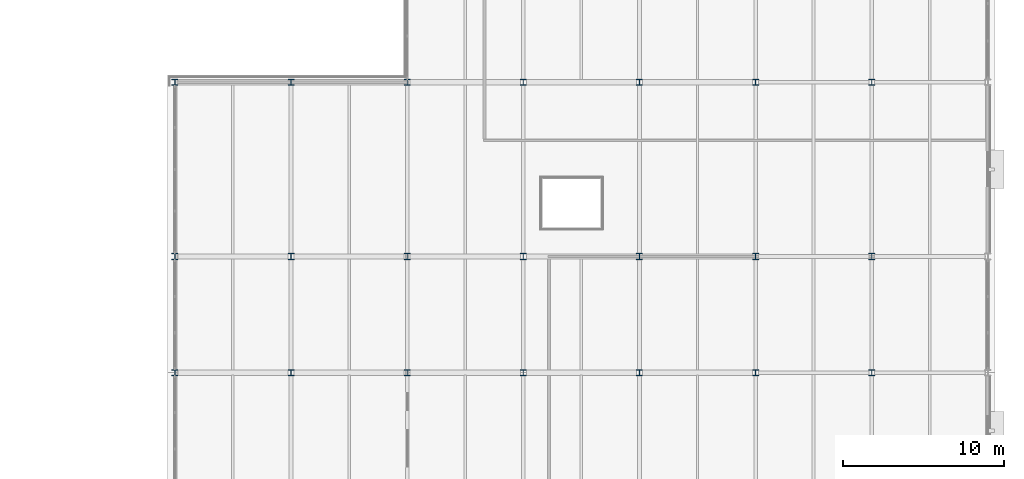
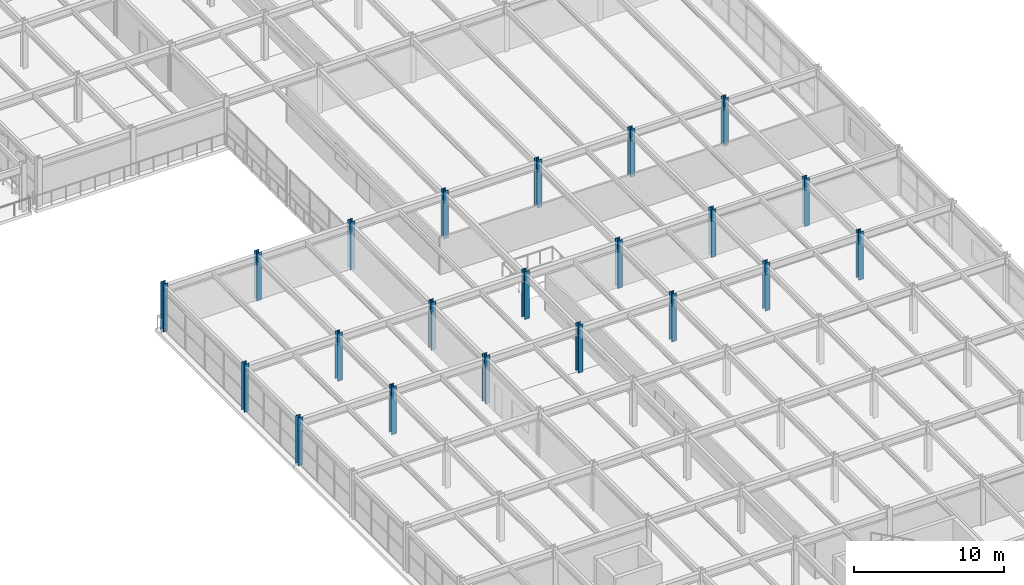
# One storey, part 11 of 93: 21 columns.
"""IFC4 building model written with IfcOpenShell, lengths in metres."""

from ifc_helpers import new_model, si_unit, direction, frame, origin, origin_2d, place, context, subcontext, project, spatial, i_section, extrude, material, material_profile, profile_set, type_object, element, save


model = new_model("IFC4")

# Units and contexts
model_context = context("Model", 3, precision=1e-05, world=origin(), true_north=direction((0.0, 1.0)))
body_context = subcontext(model_context, "Body", "Model", "MODEL_VIEW")
ifc_project = project(units=[si_unit("LENGTHUNIT", "METRE"), si_unit("AREAUNIT", "SQUARE_METRE"), si_unit("VOLUMEUNIT", "CUBIC_METRE"), si_unit("PLANEANGLEUNIT", "RADIAN"), si_unit("MASSUNIT", "GRAM", prefix="KILO")], contexts=[model_context])

# Site, building, storey
site_placement = place(None, origin())
site = spatial("IfcSite", under=ifc_project, at=site_placement, CompositionType="ELEMENT")
building_placement = place(site_placement, origin())
building = spatial("IfcBuilding", under=site, at=building_placement, Name="Vaelcorin Mobility Hub", CompositionType="ELEMENT")
storey_placement = place(building_placement, frame((0.0, 0.0, 5.39990234375)))
storey = spatial("IfcBuildingStorey", under=building, at=storey_placement, Name="L01", CompositionType="ELEMENT", Elevation=5.39990234375)

# Columns
ifc_material = material(Name="Steel ASTM A992 Grade 50", Category="steel")
ifc_material_profile = material_profile(ifc_material, i_section(OverallWidth=0.373046875, OverallDepth=0.373046875, WebThickness=0.016357421875, FlangeThickness=0.026123046875, FilletRadius=0.014892578125, at=origin_2d()), Name="W14X132")
ifc_profile_set = profile_set([ifc_material_profile], Name="Steel ASTM A992 Grade 50")
column_type = type_object("IfcColumnType", Name="COL-W14X132", PredefinedType="COLUMN", material=ifc_profile_set)
for number, where, z_axis, x_axis, name in (
    (1, (153.60009765625, 42.0, 0.0), (0.0, 0.0, 1.0), (1.0, 0.0, 0.0), "Column V5-X01Y06 L01"),
    (2, (153.60009765625, 49.199951171875, 0.0), (0.0, 0.0, 1.0), (1.0, 0.0, 0.0), "Column V5-X01Y07 L01"),
    (3, (153.60009765625, 60.0, 0.0), (0.0, 0.0, 1.0), (1.0, 0.0, 0.0), "Column V5-X01Y08 L01"),
    (4, (160.800048828125, 42.0, 0.0), (0.0, 0.0, 1.0), (1.0, 0.0, 0.0), "Column V5-X02Y06 L01"),
    (5, (160.800048828125, 49.199951171875, 0.0), (0.0, 0.0, 1.0), (1.0, 0.0, 0.0), "Column V5-X02Y07 L01"),
    (6, (160.800048828125, 60.0, 0.0), (0.0, 0.0, 1.0), (1.0, 0.0, 0.0), "Column V5-X02Y08 L01"),
    (7, (168.0, 42.0, 0.0), (0.0, 0.0, 1.0), (1.0, 0.0, 0.0), "Column V5-X03Y06 L01"),
    (8, (168.0, 49.199951171875, 0.0), (0.0, 0.0, 1.0), (1.0, 0.0, 0.0), "Column V5-X03Y07 L01"),
    (9, (168.0, 60.0, 0.0), (0.0, 0.0, 1.0), (1.0, 0.0, 0.0), "Column V5-X03Y08 L01"),
    (10, (175.199951171875, 42.0, 0.0), (0.0, 0.0, 1.0), (1.0, 0.0, 0.0), "Column V5-X04Y06 L01"),
    (11, (175.199951171875, 49.199951171875, 0.0), (0.0, 0.0, 1.0), (1.0, 0.0, 0.0), "Column V5-X04Y07 L01"),
    (12, (175.199951171875, 60.0, 0.0), (0.0, 0.0, 1.0), (1.0, 0.0, 0.0), "Column V5-X04Y08 L01"),
    (13, (182.39990234375, 42.0, 0.0), (0.0, 0.0, 1.0), (1.0, 0.0, 0.0), "Column V5-X05Y06 L01"),
    (14, (182.39990234375, 49.199951171875, 0.0), (0.0, 0.0, 1.0), (1.0, 0.0, 0.0), "Column V5-X05Y07 L01"),
    (15, (182.39990234375, 60.0, 0.0), (0.0, 0.0, 1.0), (1.0, 0.0, 0.0), "Column V5-X05Y08 L01"),
    (16, (189.60009765625, 42.0, 0.0), (0.0, 0.0, 1.0), (1.0, 0.0, 0.0), "Column V5-X06Y06 L01"),
    (17, (189.60009765625, 49.199951171875, 0.0), (0.0, 0.0, 1.0), (1.0, 0.0, 0.0), "Column V5-X06Y07 L01"),
    (18, (189.60009765625, 60.0, 0.0), (0.0, 0.0, 1.0), (1.0, 0.0, 0.0), "Column V5-X06Y08 L01"),
    (19, (196.800048828125, 42.0, 0.0), (0.0, 0.0, 1.0), (1.0, 0.0, 0.0), "Column V5-X07Y06 L01"),
    (20, (196.800048828125, 49.199951171875, 0.0), (0.0, 0.0, 1.0), (1.0, 0.0, 0.0), "Column V5-X07Y07 L01"),
    (21, (196.800048828125, 60.0, 0.0), (0.0, 0.0, 1.0), (1.0, 0.0, 0.0), "Column V5-X07Y08 L01"),
):
    element("IfcColumn", number, at=place(storey_placement, frame(where, z_axis=z_axis, x_axis=x_axis)), inside=storey, type_object=column_type, Name=name, PredefinedType="COLUMN", context=body_context, shape_type="SweptSolid", body=[
        extrude(i_section(OverallWidth=0.373046875, OverallDepth=0.373046875, WebThickness=0.016357421875, FlangeThickness=0.026123046875, FilletRadius=0.014892578125, at=origin_2d()), origin(), (0.0, 0.0, 1.0), 3.900146484375),
    ])

save(model, "model.ifc")
